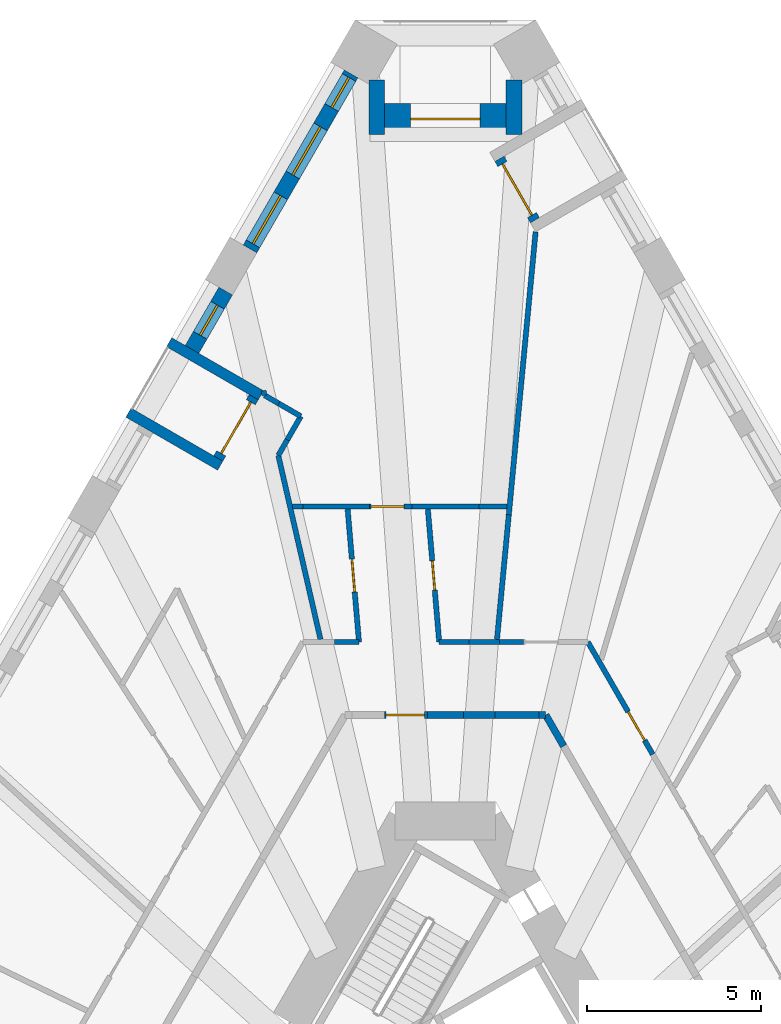
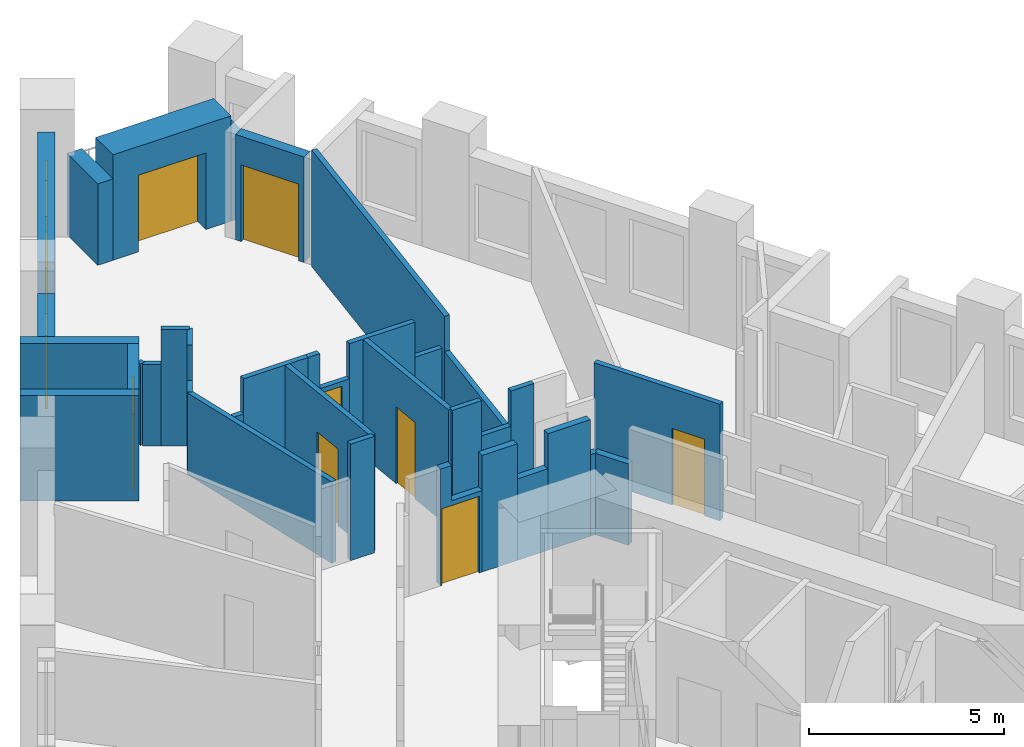
# One storey, part 9 of 14: 35 walls, 8 doors, 4 windows, 12 openings.
"""IFC4 building model written with IfcOpenShell, lengths in metres."""

from ifc_helpers import new_model, si_unit, direction, frame, frame_2d, origin, place, context, subcontext, project, spatial, polyline, rectangle, outline, extrude, material, layer, layer_set, type_object, element, fill, save


model = new_model("IFC4")

# Units and contexts
model_context = context("Model", 3, precision=1e-05, world=origin(), true_north=direction((0.0, 1.0)))
body_context = subcontext(model_context, "Body", "Model", "MODEL_VIEW")
ifc_project = project(units=[si_unit("LENGTHUNIT", "METRE"), si_unit("AREAUNIT", "SQUARE_METRE"), si_unit("VOLUMEUNIT", "CUBIC_METRE"), si_unit("PLANEANGLEUNIT", "RADIAN"), si_unit("MASSUNIT", "GRAM", prefix="KILO")], contexts=[model_context])

# Site, building, storey
site_placement = place(None, origin())
site = spatial("IfcSite", under=ifc_project, at=site_placement, CompositionType="ELEMENT")
building_placement = place(site_placement, origin())
building = spatial("IfcBuilding", under=site, at=building_placement, Name="Tramontana Tower", CompositionType="ELEMENT")
storey_placement = place(building_placement, frame((0.0, 0.0, 30.0)))
storey = spatial("IfcBuildingStorey", under=building, at=storey_placement, Name="L05", CompositionType="ELEMENT", Elevation=30.0)

# Wall
ifc_material_1 = material(Name="Blockwork", Category="masonry")
ifc_layer_1 = layer(ifc_material_1, 0.199951171875)
ifc_layer_set_1 = layer_set([ifc_layer_1], Name="ENTRY WALL 200")
wall_type_1 = type_object("IfcWallType", Name="ENTRY WALL 200", PredefinedType="SOLIDWALL", material=ifc_layer_set_1)
wall_1_placement = place(storey_placement, frame((2.88671875, 13.5, 0.0), z_axis=(0.0, 0.0, 1.0), x_axis=(0.499994660107, -0.866028486751, 0.0)))
element("IfcWall", 1, at=wall_1_placement, inside=storey, type_object=wall_type_1, Name="Wall v01-ew0-0", PredefinedType="SOLIDWALL", context=body_context, shape_type="SweptSolid", body=[
    extrude(rectangle(XDim=1.03515625, YDim=0.199951171875, at=frame_2d((0.517578125, 0.0))), origin(), (0.0, 0.0, 1.0), 2.550048828125),
])

# Wall, opening, door
wall_2_placement = place(storey_placement, frame((-0.520263671875, 13.5, 0.0), z_axis=(0.0, 0.0, 1.0), x_axis=(-1.0, 0.0, 0.0)))
wall_2 = element("IfcWall", 2, at=wall_2_placement, inside=storey, type_object=wall_type_1, Name="Wall v01-ew5-2", PredefinedType="SOLIDWALL", context=body_context, shape_type="SweptSolid", body=[
    extrude(outline(polyline([(0.0, 0.0), (1.23291015625, 0.0), (1.23291015625, 3.64990234375), (0.90234375, 3.64990234375), (0.90234375, 2.550048828125), (0.0, 2.550048828125), (0.0, 0.0)])), frame((0.0, 0.10009765625, 0.0), z_axis=(0.0, -1.0, 0.0), x_axis=(1.0, 0.0, 0.0)), (0.0, 0.0, 1.0), 0.199951171875),
])
opening_1_placement = place(wall_2_placement, frame((0.082763671875, 0.0, 0.0)))
opening_1 = element("IfcOpeningElement", 3, at=opening_1_placement, cuts=wall_2, Name="Opening B0B-34", PredefinedType="OPENING", context=body_context, shape_type="SweptSolid", body=[
    extrude(rectangle(XDim=1.10009765625, YDim=2.39990234375, at=frame_2d((0.550048828125, 1.199951171875))), frame((0.0, 0.10986328125, 0.0), z_axis=(0.0, -1.0, 0.0), x_axis=(1.0, 0.0, 0.0)), (0.0, 0.0, 1.0), 0.219970703125),
])
ifc_material_2 = material(Name="Painted timber", Category="wood")
door_type_1 = type_object("IfcDoorType", Name="DOOR ENTRY 1100", OperationType="SINGLE_SWING_LEFT", PredefinedType="DOOR", material=ifc_material_2)
door_1_placement = place(opening_1_placement, origin())
door_1 = element("IfcDoor", 4, at=door_1_placement, inside=storey, type_object=door_type_1, Name="Door B0B-34", OperationType="SINGLE_SWING_RIGHT", OverallHeight=2.39990234375, OverallWidth=1.10009765625, PredefinedType="DOOR", context=body_context, shape_type="SweptSolid", body=[
    extrude(rectangle(XDim=1.10009765625, YDim=2.39990234375, at=frame_2d((0.550048828125, 1.199951171875))), frame((0.0, 0.02490234375, 0.0), z_axis=(0.0, -1.0, 0.0), x_axis=(1.0, 0.0, 0.0)), (0.0, 0.0, 1.0), 0.050048828125),
])
fill(opening_1, door_1)

# Walls
wall_3_placement = place(storey_placement, frame((-0.520263671875, 13.5, 0.0), z_axis=(0.0, 0.0, 1.0), x_axis=(1.0, 0.0, 0.0)))
element("IfcWall", 5, at=wall_3_placement, inside=storey, type_object=wall_type_1, Name="Wall v01-ew5-3", PredefinedType="SOLIDWALL", context=body_context, shape_type="SweptSolid", body=[
    extrude(rectangle(XDim=1.04052734375, YDim=0.199951171875, at=frame_2d((0.520263671875, 0.0))), origin(), (0.0, 0.0, 1.0), 3.64990234375),
])
wall_4_placement = place(storey_placement, frame((0.520263671875, 13.5, 0.0), z_axis=(0.0, 0.0, 1.0), x_axis=(1.0, 0.0, 0.0)))
element("IfcWall", 6, at=wall_4_placement, inside=storey, type_object=wall_type_1, Name="Wall v01-ew5-4", PredefinedType="SOLIDWALL", context=body_context, shape_type="SweptSolid", body=[
    extrude(rectangle(XDim=0.90234375, YDim=0.199951171875, at=frame_2d((0.451171875, 0.0))), origin(), (0.0, 0.0, 1.0), 2.550048828125),
])
wall_5_placement = place(storey_placement, frame((1.422607421875, 13.5, 0.0), z_axis=(0.0, 0.0, 1.0), x_axis=(1.0, 0.0, 0.0)))
element("IfcWall", 7, at=wall_5_placement, inside=storey, type_object=wall_type_1, Name="Wall v01-ew5-5", PredefinedType="SOLIDWALL", context=body_context, shape_type="SweptSolid", body=[
    extrude(rectangle(XDim=1.266845703125, YDim=0.199951171875, at=frame_2d((0.63330078125, 0.0))), origin(), (0.0, 0.0, 1.0), 3.64990234375),
])
wall_6_placement = place(storey_placement, frame((2.689453125, 13.5, 0.0), z_axis=(0.0, 0.0, 1.0), x_axis=(1.0, 0.0, 0.0)))
element("IfcWall", 8, at=wall_6_placement, inside=storey, type_object=wall_type_1, Name="Wall v01-ew5-6", PredefinedType="SOLIDWALL", context=body_context, shape_type="SweptSolid", body=[
    extrude(rectangle(XDim=0.197265625, YDim=0.199951171875, at=frame_2d((0.0986328125, 0.0))), origin(), (0.0, 0.0, 1.0), 2.550048828125),
])

# Wall, openings, windows
ifc_material_3 = material(Name="Precast concrete 60 MPa", Category="concrete")
ifc_layer_2 = layer(ifc_material_3, 0.449951171875)
ifc_layer_set_2 = layer_set([ifc_layer_2], Name="Precast concrete 60 MPa, 450 mm")
wall_type_2 = type_object("IfcWallType", Name="EW1 Stone-faced precast wall 450", PredefinedType="SOLIDWALL", material=ifc_layer_set_2)
wall_7_placement = place(storey_placement, frame((-2.713623046875, 31.949951171875, 0.0), z_axis=(0.0, 0.0, 1.0), x_axis=(-0.500007002644, -0.866021360769, 0.0)))
wall_7 = element("IfcWall", 9, at=wall_7_placement, inside=storey, type_object=wall_type_2, Name="External wall L05 face 0 bay 1", PredefinedType="SOLIDWALL", context=body_context, shape_type="SweptSolid", body=[
    extrude(rectangle(XDim=5.81787109375, YDim=0.449951171875, at=frame_2d((2.908935546875, 0.0))), origin(), (0.0, 0.0, 1.0), 3.300048828125),
])
opening_2_placement = place(wall_7_placement, frame((0.11962890625, 0.0, 0.699951171875)))
opening_2 = element("IfcOpeningElement", 10, at=opening_2_placement, cuts=wall_7, Name="Opening N1L", PredefinedType="OPENING", context=body_context, shape_type="SweptSolid", body=[
    extrude(rectangle(XDim=1.0, YDim=1.800048828125, at=frame_2d((0.5, 0.89990234375))), frame((0.0, 0.23486328125, 0.0), z_axis=(0.0, -1.0, 0.0), x_axis=(1.0, 0.0, 0.0)), (0.0, 0.0, 1.0), 0.469970703125),
])
opening_3_placement = place(wall_7_placement, frame((1.759033203125, 0.0, 0.699951171875)))
opening_3 = element("IfcOpeningElement", 11, at=opening_3_placement, cuts=wall_7, Name="Opening M1", PredefinedType="OPENING", context=body_context, shape_type="SweptSolid", body=[
    extrude(rectangle(XDim=1.60009765625, YDim=2.300048828125, at=frame_2d((0.800048828125, 1.14990234375))), frame((0.0, 0.23486328125, 0.0), z_axis=(0.0, -1.0, 0.0), x_axis=(1.0, 0.0, 0.0)), (0.0, 0.0, 1.0), 0.469970703125),
])
opening_4_placement = place(wall_7_placement, frame((4.04833984375, 0.0, 0.699951171875)))
opening_4 = element("IfcOpeningElement", 12, at=opening_4_placement, cuts=wall_7, Name="Opening M1", PredefinedType="OPENING", context=body_context, shape_type="SweptSolid", body=[
    extrude(rectangle(XDim=1.60009765625, YDim=2.300048828125, at=frame_2d((0.800048828125, 1.14990234375))), frame((0.0, 0.23486328125, 0.0), z_axis=(0.0, -1.0, 0.0), x_axis=(1.0, 0.0, 0.0)), (0.0, 0.0, 1.0), 0.469970703125),
])
ifc_material_4 = material(Name="Aluminum frame, double glazing unit", Category="aluminium")
window_type_1 = type_object("IfcWindowType", Name="M1 Window 1.6 x 2.3", PartitioningType="SINGLE_PANEL", PredefinedType="WINDOW", material=ifc_material_4)
window_1_placement = place(opening_3_placement, origin())
window_1 = element("IfcWindow", 13, at=window_1_placement, inside=storey, type_object=window_type_1, Name="Window M1 L05 face 0 module 2", OverallHeight=2.300048828125, OverallWidth=1.60009765625, PartitioningType="SINGLE_PANEL", PredefinedType="WINDOW", context=body_context, shape_type="SweptSolid", body=[
    extrude(rectangle(XDim=1.60009765625, YDim=2.300048828125, at=frame_2d((0.800048828125, 1.14990234375))), frame((0.0, 0.030029296875, 0.0), z_axis=(0.0, -1.0, 0.0), x_axis=(1.0, 0.0, 0.0)), (0.0, 0.0, 1.0), 0.06005859375),
])
fill(opening_3, window_1)
window_2_placement = place(opening_4_placement, origin())
window_2 = element("IfcWindow", 14, at=window_2_placement, inside=storey, type_object=window_type_1, Name="Window M1 L05 face 0 module 3", OverallHeight=2.300048828125, OverallWidth=1.60009765625, PartitioningType="SINGLE_PANEL", PredefinedType="WINDOW", context=body_context, shape_type="SweptSolid", body=[
    extrude(rectangle(XDim=1.60009765625, YDim=2.300048828125, at=frame_2d((0.800048828125, 1.14990234375))), frame((0.0, 0.030029296875, 0.0), z_axis=(0.0, -1.0, 0.0), x_axis=(1.0, 0.0, 0.0)), (0.0, 0.0, 1.0), 0.06005859375),
])
fill(opening_4, window_2)
ifc_material_5 = material(Name="Aluminum frame, double glazing unit", Category="aluminium")
window_type_2 = type_object("IfcWindowType", Name="N1L Window 1 x 1.8", PartitioningType="SINGLE_PANEL", PredefinedType="WINDOW", material=ifc_material_5)
window_3_placement = place(opening_2_placement, origin())
window_3 = element("IfcWindow", 15, at=window_3_placement, inside=storey, type_object=window_type_2, Name="Window N1L L05 face 0 module 1", OverallHeight=1.800048828125, OverallWidth=1.0, PartitioningType="SINGLE_PANEL", PredefinedType="WINDOW", context=body_context, shape_type="SweptSolid", body=[
    extrude(rectangle(XDim=1.0, YDim=1.800048828125, at=frame_2d((0.5, 0.89990234375))), frame((0.0, 0.030029296875, 0.0), z_axis=(0.0, -1.0, 0.0), x_axis=(1.0, 0.0, 0.0)), (0.0, 0.0, 1.0), 0.06005859375),
])
fill(opening_2, window_3)

# Wall, opening, window
wall_8_placement = place(storey_placement, frame((-6.322509765625, 25.69921875, 0.0), z_axis=(0.0, 0.0, 1.0), x_axis=(-0.49998396455, -0.866034661658, 0.0)))
wall_8 = element("IfcWall", 16, at=wall_8_placement, inside=storey, type_object=wall_type_2, Name="External wall L05 face 0 bay 2", PredefinedType="SOLIDWALL", context=body_context, shape_type="SweptSolid", body=[
    extrude(rectangle(XDim=1.939453125, YDim=0.449951171875, at=frame_2d((0.9697265625, 0.0))), origin(), (0.0, 0.0, 1.0), 3.300048828125),
])
opening_5_placement = place(wall_8_placement, frame((0.4697265625, 0.0, 0.699951171875)))
opening_5 = element("IfcOpeningElement", 17, at=opening_5_placement, cuts=wall_8, Name="Opening N1", PredefinedType="OPENING", context=body_context, shape_type="SweptSolid", body=[
    extrude(rectangle(XDim=1.0, YDim=2.300048828125, at=frame_2d((0.5, 1.14990234375))), frame((0.0, 0.23486328125, 0.0), z_axis=(0.0, -1.0, 0.0), x_axis=(1.0, 0.0, 0.0)), (0.0, 0.0, 1.0), 0.469970703125),
])
ifc_material_6 = material(Name="Aluminum frame, double glazing unit", Category="aluminium")
window_type_3 = type_object("IfcWindowType", Name="N1 Window 1 x 2.3", PartitioningType="SINGLE_PANEL", PredefinedType="WINDOW", material=ifc_material_6)
window_4_placement = place(opening_5_placement, origin())
window_4 = element("IfcWindow", 18, at=window_4_placement, inside=storey, type_object=window_type_3, Name="Window N1 L05 face 0 module 4", OverallHeight=2.300048828125, OverallWidth=1.0, PartitioningType="SINGLE_PANEL", PredefinedType="WINDOW", context=body_context, shape_type="SweptSolid", body=[
    extrude(rectangle(XDim=1.0, YDim=2.300048828125, at=frame_2d((0.5, 1.14990234375))), frame((0.0, 0.030029296875, 0.0), z_axis=(0.0, -1.0, 0.0), x_axis=(1.0, 0.0, 0.0)), (0.0, 0.0, 1.0), 0.06005859375),
])
fill(opening_5, window_4)

# Walls
for number, where, z_axis, x_axis, name in (
    (19, (-1.97509765625, 31.779296875, 0.0), (0.0, 0.0, 1.0), (0.0, -1.0, 0.0), "Corner loggia side wall L05 K00l"),
    (20, (1.97509765625, 31.779296875, 0.0), (0.0, 0.0, 1.0), (0.0, -1.0, 0.0), "Corner loggia side wall L05 K00r"),
):
    element("IfcWall", number, at=place(storey_placement, frame(where, z_axis=z_axis, x_axis=x_axis)), inside=storey, type_object=wall_type_2, Name=name, PredefinedType="SOLIDWALL", context=body_context, shape_type="SweptSolid", body=[
        extrude(rectangle(XDim=1.579345703125, YDim=0.449951171875, at=frame_2d((0.78955078125, 0.0))), origin(), (0.0, 0.0, 1.0), 2.550048828125),
    ])

# Wall, opening, door
ifc_material_7 = material(Name="Precast concrete 60 MPa", Category="concrete")
ifc_layer_3 = layer(ifc_material_7, 0.89990234375)
ifc_layer_set_3 = layer_set([ifc_layer_3], Name="EW2 Stone-faced corner loggia wall 900")
wall_type_3 = type_object("IfcWallType", Name="EW2 Stone-faced corner loggia wall 900", PredefinedType="SOLIDWALL", material=ifc_layer_set_3)
wall_9_placement = place(storey_placement, frame((-1.75, 30.64990234375, 0.0), z_axis=(0.0, 0.0, 1.0), x_axis=(1.0, 0.0, 0.0)))
wall_9 = element("IfcWall", 21, at=wall_9_placement, inside=storey, type_object=wall_type_3, Name="Corner loggia wall L05 K00", PredefinedType="SOLIDWALL", context=body_context, shape_type="SweptSolid", body=[
    extrude(rectangle(XDim=3.5, YDim=0.89990234375, at=frame_2d((1.75, 0.0))), origin(), (0.0, 0.0, 1.0), 3.300048828125),
])
opening_6_placement = place(wall_9_placement, frame((0.75, 0.0, 0.0)))
opening_6 = element("IfcOpeningElement", 22, at=opening_6_placement, cuts=wall_9, Name="Opening BD-00C", PredefinedType="OPENING", context=body_context, shape_type="SweptSolid", body=[
    extrude(rectangle(XDim=2.0, YDim=2.39990234375, at=frame_2d((1.0, 1.199951171875))), frame((0.0, 0.4599609375, 0.0), z_axis=(0.0, -1.0, 0.0), x_axis=(1.0, 0.0, 0.0)), (0.0, 0.0, 1.0), 0.919921875),
])
ifc_material_8 = material(Name="Aluminum frame, double glazing unit", Category="aluminium")
door_type_2 = type_object("IfcDoorType", Name="BC1 Sliding door 2 x 2.4", OperationType="SLIDING_TO_LEFT", PredefinedType="DOOR", material=ifc_material_8)
door_2_placement = place(opening_6_placement, origin())
door_2 = element("IfcDoor", 23, at=door_2_placement, inside=storey, type_object=door_type_2, Name="Corner loggia door L05 K00", OperationType="SLIDING_TO_LEFT", OverallHeight=2.39990234375, OverallWidth=2.0, PredefinedType="DOOR", context=body_context, shape_type="SweptSolid", body=[
    extrude(rectangle(XDim=2.0, YDim=2.39990234375, at=frame_2d((1.0, 1.199951171875))), frame((0.0, 0.02490234375, 0.0), z_axis=(0.0, -1.0, 0.0), x_axis=(1.0, 0.0, 0.0)), (0.0, 0.0, 1.0), 0.050048828125),
])
fill(opening_6, door_2)

ifc_material_9 = material(Name="Precast concrete 60 MPa", Category="concrete")
ifc_layer_4 = layer(ifc_material_9, 0.300048828125)
ifc_layer_set_4 = layer_set([ifc_layer_4], Name="LW1 Stone-faced loggia wall 300")
wall_type_4 = type_object("IfcWallType", Name="LW1 Stone-faced loggia wall 300", PredefinedType="SOLIDWALL", material=ifc_layer_set_4)
wall_10_placement = place(storey_placement, frame((-5.51513671875, 22.647216796875, 0.0), z_axis=(0.0, 0.0, 1.0), x_axis=(-0.500092081068, -0.865972234227, 0.0)))
wall_10 = element("IfcWall", 24, at=wall_10_placement, inside=storey, type_object=wall_type_4, Name="Loggia wall L05 G0S0.4", PredefinedType="SOLIDWALL", context=body_context, shape_type="SweptSolid", body=[
    extrude(rectangle(XDim=2.0390625, YDim=0.300048828125, at=frame_2d((1.01953125, 0.0))), origin(), (0.0, 0.0, 1.0), 3.300048828125),
])
opening_7_placement = place(wall_10_placement, frame((0.169677734375, 0.0, 0.0)))
opening_7 = element("IfcOpeningElement", 25, at=opening_7_placement, cuts=wall_10, Name="Opening BD-0S0-04", PredefinedType="OPENING", context=body_context, shape_type="SweptSolid", body=[
    extrude(rectangle(XDim=1.699951171875, YDim=2.39990234375, at=frame_2d((0.85009765625, 1.199951171875))), frame((0.0, 0.159912109375, 0.0), z_axis=(0.0, -1.0, 0.0), x_axis=(1.0, 0.0, 0.0)), (0.0, 0.0, 1.0), 0.320068359375),
])
ifc_material_10 = material(Name="Aluminum frame, double glazing unit", Category="aluminium")
door_type_3 = type_object("IfcDoorType", Name="BD1 Sliding door 1.7 x 2.4", OperationType="SLIDING_TO_LEFT", PredefinedType="DOOR", material=ifc_material_10)
door_3_placement = place(opening_7_placement, origin())
door_3 = element("IfcDoor", 26, at=door_3_placement, inside=storey, type_object=door_type_3, Name="Loggia door L05 G0S0.4", OperationType="SLIDING_TO_LEFT", OverallHeight=2.39990234375, OverallWidth=1.699951171875, PredefinedType="DOOR", context=body_context, shape_type="SweptSolid", body=[
    extrude(rectangle(XDim=1.699951171875, YDim=2.39990234375, at=frame_2d((0.85009765625, 1.199951171875))), frame((0.0, 0.02490234375, 0.0), z_axis=(0.0, -1.0, 0.0), x_axis=(1.0, 0.0, 0.0)), (0.0, 0.0, 1.0), 0.050048828125),
])
fill(opening_7, door_3)

# Walls
for number, where, z_axis, x_axis, name in (
    (27, (-7.95166015625, 24.227294921875, 0.0), (0.0, 0.0, 1.0), (0.8660029625, -0.500038867431, 0.0), "Loggia return L05 G0S0.4a"),
    (28, (-9.121337890625, 22.201416015625, 0.0), (0.0, 0.0, 1.0), (0.8660029625, -0.500038867431, 0.0), "Loggia return L05 G0S0.4b"),
):
    element("IfcWall", number, at=place(storey_placement, frame(where, z_axis=z_axis, x_axis=x_axis)), inside=storey, type_object=wall_type_4, Name=name, PredefinedType="SOLIDWALL", context=body_context, shape_type="SweptSolid", body=[
        extrude(rectangle(XDim=3.050048828125, YDim=0.300048828125, at=frame_2d((1.52490234375, 0.0))), origin(), (0.0, 0.0, 1.0), 3.300048828125),
    ])

# Wall, opening, door
wall_11_placement = place(storey_placement, frame((2.575927734375, 27.73828125, 0.0), z_axis=(0.0, 0.0, 1.0), x_axis=(-0.500040236659, 0.866002171892, 0.0)))
wall_11 = element("IfcWall", 29, at=wall_11_placement, inside=storey, type_object=wall_type_4, Name="Loggia wall L05 G0S2.19", PredefinedType="SOLIDWALL", context=body_context, shape_type="SweptSolid", body=[
    extrude(rectangle(XDim=2.039306640625, YDim=0.300048828125, at=frame_2d((1.01953125, 0.0))), origin(), (0.0, 0.0, 1.0), 3.300048828125),
])
opening_8_placement = place(wall_11_placement, frame((0.169677734375, 0.0, 0.0)))
opening_8 = element("IfcOpeningElement", 30, at=opening_8_placement, cuts=wall_11, Name="Opening BD-0S2-19", PredefinedType="OPENING", context=body_context, shape_type="SweptSolid", body=[
    extrude(rectangle(XDim=1.699951171875, YDim=2.39990234375, at=frame_2d((0.85009765625, 1.199951171875))), frame((0.0, 0.159912109375, 0.0), z_axis=(0.0, -1.0, 0.0), x_axis=(1.0, 0.0, 0.0)), (0.0, 0.0, 1.0), 0.320068359375),
])
door_4_placement = place(opening_8_placement, origin())
door_4 = element("IfcDoor", 31, at=door_4_placement, inside=storey, type_object=door_type_3, Name="Loggia door L05 G0S2.19", OperationType="SLIDING_TO_LEFT", OverallHeight=2.39990234375, OverallWidth=1.699951171875, PredefinedType="DOOR", context=body_context, shape_type="SweptSolid", body=[
    extrude(rectangle(XDim=1.699951171875, YDim=2.39990234375, at=frame_2d((0.85009765625, 1.199951171875))), frame((0.0, 0.02490234375, 0.0), z_axis=(0.0, -1.0, 0.0), x_axis=(1.0, 0.0, 0.0)), (0.0, 0.0, 1.0), 0.050048828125),
])
fill(opening_8, door_4)

# Walls
ifc_material_11 = material(Name="Gypsum board partition")
ifc_layer_5 = layer(ifc_material_11, 0.14990234375)
ifc_layer_set_5 = layer_set([ifc_layer_5], Name="PARTITION 150")
wall_type_5 = type_object("IfcWallType", Name="PARTITION 150", PredefinedType="PARTITIONING", material=ifc_layer_set_5)
wall_12_placement = place(storey_placement, frame((-5.204833984375, 22.699462890625, 0.0), z_axis=(0.0, 0.0, 1.0), x_axis=(-0.224199209128, 0.974543336454, 0.0)))
element("IfcWall", 32, at=wall_12_placement, inside=storey, type_object=wall_type_5, Name="Wall v01-pw23-0", PredefinedType="PARTITIONING", context=body_context, shape_type="SweptSolid", body=[
    extrude(rectangle(XDim=0.135009765625, YDim=0.14990234375, at=frame_2d((0.0673828125, 0.0))), origin(), (0.0, 0.0, 1.0), 2.550048828125),
])
wall_13_placement = place(storey_placement, frame((-4.80859375, 20.970947265625, 0.0), z_axis=(0.0, 0.0, 1.0), x_axis=(0.500009360108, 0.866019999656, 0.0)))
element("IfcWall", 33, at=wall_13_placement, inside=storey, type_object=wall_type_5, Name="Wall v01-pw24-0", PredefinedType="PARTITIONING", context=body_context, shape_type="SweptSolid", body=[
    extrude(rectangle(XDim=0.515625, YDim=0.14990234375, at=frame_2d((0.2578125, 0.0))), origin(), (0.0, 0.0, 1.0), 2.550048828125),
])
wall_14_placement = place(storey_placement, frame((-4.55078125, 21.41748046875, 0.0), z_axis=(0.0, 0.0, 1.0), x_axis=(0.50003806587, 0.866003425329, 0.0)))
element("IfcWall", 34, at=wall_14_placement, inside=storey, type_object=wall_type_5, Name="Wall v01-pw24-1", PredefinedType="PARTITIONING", context=body_context, shape_type="SweptSolid", body=[
    extrude(rectangle(XDim=0.78125, YDim=0.14990234375, at=frame_2d((0.390625, 0.0))), origin(), (0.0, 0.0, 1.0), 3.64990234375),
])
wall_15_placement = place(storey_placement, frame((-4.394287109375, 19.5, 0.0), z_axis=(0.0, 0.0, 1.0), x_axis=(1.0, 0.0, 0.0)))
element("IfcWall", 35, at=wall_15_placement, inside=storey, type_object=wall_type_5, Name="Wall v01-pw25-0", PredefinedType="PARTITIONING", context=body_context, shape_type="SweptSolid", body=[
    extrude(rectangle(XDim=0.291259765625, YDim=0.14990234375, at=frame_2d((0.1455078125, 0.0))), origin(), (0.0, 0.0, 1.0), 2.550048828125),
])
wall_16_placement = place(storey_placement, frame((-4.10302734375, 19.5, 0.0), z_axis=(0.0, 0.0, 1.0), x_axis=(1.0, 0.0, 0.0)))
element("IfcWall", 36, at=wall_16_placement, inside=storey, type_object=wall_type_5, Name="Wall v01-pw25-1", PredefinedType="PARTITIONING", context=body_context, shape_type="SweptSolid", body=[
    extrude(rectangle(XDim=1.912353515625, YDim=0.14990234375, at=frame_2d((0.9560546875, 0.0))), origin(), (0.0, 0.0, 1.0), 3.64990234375),
])

# Wall, opening, door
wall_17_placement = place(storey_placement, frame((-2.190673828125, 19.5, 0.0), z_axis=(0.0, 0.0, 1.0), x_axis=(1.0, 0.0, 0.0)))
wall_17 = element("IfcWall", 37, at=wall_17_placement, inside=storey, type_object=wall_type_5, Name="Wall v01-pw25-2", PredefinedType="PARTITIONING", context=body_context, shape_type="SweptSolid", body=[
    extrude(outline(polyline([(0.0, 0.0), (1.22607421875, 0.0), (1.22607421875, 2.550048828125), (0.3486328125, 2.550048828125), (0.3486328125, 3.64990234375), (0.0, 3.64990234375), (0.0, 0.0)])), frame((0.0, 0.074951171875, 0.0), z_axis=(0.0, -1.0, 0.0), x_axis=(1.0, 0.0, 0.0)), (0.0, 0.0, 1.0), 0.14990234375),
])
opening_9_placement = place(wall_17_placement, frame((0.050048828125, 0.0, 0.0)))
opening_9 = element("IfcOpeningElement", 38, at=opening_9_placement, cuts=wall_17, Name="Opening B0B-03", PredefinedType="OPENING", context=body_context, shape_type="SweptSolid", body=[
    extrude(rectangle(XDim=0.949951171875, YDim=2.39990234375, at=frame_2d((0.47509765625, 1.199951171875))), frame((0.0, 0.0849609375, 0.0), z_axis=(0.0, -1.0, 0.0), x_axis=(1.0, 0.0, 0.0)), (0.0, 0.0, 1.0), 0.169921875),
])
ifc_material_12 = material(Name="Painted timber", Category="wood")
door_type_4 = type_object("IfcDoorType", Name="DOOR ROOM 950", OperationType="SINGLE_SWING_LEFT", PredefinedType="DOOR", material=ifc_material_12)
door_5_placement = place(opening_9_placement, origin())
door_5 = element("IfcDoor", 39, at=door_5_placement, inside=storey, type_object=door_type_4, Name="Door B0B-03", OperationType="SINGLE_SWING_LEFT", OverallHeight=2.39990234375, OverallWidth=0.949951171875, PredefinedType="DOOR", context=body_context, shape_type="SweptSolid", body=[
    extrude(rectangle(XDim=0.949951171875, YDim=2.39990234375, at=frame_2d((0.47509765625, 1.199951171875))), frame((0.0, 0.02490234375, 0.0), z_axis=(0.0, -1.0, 0.0), x_axis=(1.0, 0.0, 0.0)), (0.0, 0.0, 1.0), 0.050048828125),
])
fill(opening_9, door_5)

# Walls
wall_18_placement = place(storey_placement, frame((-0.964599609375, 19.5, 0.0), z_axis=(0.0, 0.0, 1.0), x_axis=(1.0, 0.0, 0.0)))
element("IfcWall", 40, at=wall_18_placement, inside=storey, type_object=wall_type_5, Name="Wall v01-pw25-3", PredefinedType="PARTITIONING", context=body_context, shape_type="SweptSolid", body=[
    extrude(rectangle(XDim=1.92919921875, YDim=0.14990234375, at=frame_2d((0.964599609375, 0.0))), origin(), (0.0, 0.0, 1.0), 3.64990234375),
])
wall_19_placement = place(storey_placement, frame((0.964599609375, 19.5, 0.0), z_axis=(0.0, 0.0, 1.0), x_axis=(1.0, 0.0, 0.0)))
element("IfcWall", 41, at=wall_19_placement, inside=storey, type_object=wall_type_5, Name="Wall v01-pw25-4", PredefinedType="PARTITIONING", context=body_context, shape_type="SweptSolid", body=[
    extrude(rectangle(XDim=0.807373046875, YDim=0.14990234375, at=frame_2d((0.40380859375, 0.0))), origin(), (0.0, 0.0, 1.0), 2.550048828125),
])
wall_20_placement = place(storey_placement, frame((-4.160888671875, 22.0966796875, 0.0), z_axis=(0.0, 0.0, 1.0), x_axis=(-0.866141146063, 0.499799474886, 0.0)))
element("IfcWall", 42, at=wall_20_placement, inside=storey, type_object=wall_type_5, Name="Wall v01-pw26-0", PredefinedType="PARTITIONING", context=body_context, shape_type="SweptSolid", body=[
    extrude(rectangle(XDim=0.731689453125, YDim=0.14990234375, at=frame_2d((0.36572265625, 0.0))), origin(), (0.0, 0.0, 1.0), 3.64990234375),
])
wall_21_placement = place(storey_placement, frame((-4.794677734375, 22.46240234375, 0.0), z_axis=(0.0, 0.0, 1.0), x_axis=(-0.866013897511, 0.50001992892, 0.0)))
element("IfcWall", 43, at=wall_21_placement, inside=storey, type_object=wall_type_5, Name="Wall v01-pw26-1", PredefinedType="PARTITIONING", context=body_context, shape_type="SweptSolid", body=[
    extrude(rectangle(XDim=0.4736328125, YDim=0.14990234375, at=frame_2d((0.23681640625, 0.0))), origin(), (0.0, 0.0, 1.0), 2.550048828125),
])
wall_22_placement = place(storey_placement, frame((-3.192626953125, 15.60009765625, 0.0), z_axis=(0.0, 0.0, 1.0), x_axis=(1.0, 0.0, 0.0)))
element("IfcWall", 44, at=wall_22_placement, inside=storey, type_object=wall_type_5, Name="Wall v01-pw27-1", PredefinedType="PARTITIONING", context=body_context, shape_type="SweptSolid", body=[
    extrude(rectangle(XDim=0.705810546875, YDim=0.14990234375, at=frame_2d((0.35302734375, 0.0))), origin(), (0.0, 0.0, 1.0), 3.64990234375),
])
wall_23_placement = place(storey_placement, frame((-3.59423828125, 15.675048828125, 0.0), z_axis=(0.0, 0.0, 1.0), x_axis=(-0.223500672061, 0.974703775302, 0.0)))
element("IfcWall", 45, at=wall_23_placement, inside=storey, type_object=wall_type_5, Name="Wall v01-pw28-0", PredefinedType="PARTITIONING", context=body_context, shape_type="SweptSolid", body=[
    extrude(rectangle(XDim=5.433349609375, YDim=0.14990234375, at=frame_2d((2.716796875, 0.0))), origin(), (0.0, 0.0, 1.0), 2.550048828125),
])

# Wall, opening, door
wall_24_placement = place(storey_placement, frame((-2.48681640625, 15.60009765625, 0.0), z_axis=(0.0, 0.0, 1.0), x_axis=(-0.085092687009, 0.996373039889, 0.0)))
wall_24 = element("IfcWall", 46, at=wall_24_placement, inside=storey, type_object=wall_type_5, Name="Wall v01-pw29", PredefinedType="PARTITIONING", context=body_context, shape_type="SweptSolid", body=[
    extrude(rectangle(XDim=3.8388671875, YDim=0.14990234375, at=frame_2d((1.91943359375, 0.0))), origin(), (0.0, 0.0, 1.0), 3.64990234375),
])
opening_10_placement = place(wall_24_placement, frame((1.444580078125, 0.0, 0.0)))
opening_10 = element("IfcOpeningElement", 47, at=opening_10_placement, cuts=wall_24, Name="Opening B0B-01", PredefinedType="OPENING", context=body_context, shape_type="SweptSolid", body=[
    extrude(rectangle(XDim=0.949951171875, YDim=2.39990234375, at=frame_2d((0.47509765625, 1.199951171875))), frame((0.0, 0.0849609375, 0.0), z_axis=(0.0, -1.0, 0.0), x_axis=(1.0, 0.0, 0.0)), (0.0, 0.0, 1.0), 0.169921875),
])
door_6_placement = place(opening_10_placement, origin())
door_6 = element("IfcDoor", 48, at=door_6_placement, inside=storey, type_object=door_type_4, Name="Door B0B-01", OperationType="SINGLE_SWING_LEFT", OverallHeight=2.39990234375, OverallWidth=0.949951171875, PredefinedType="DOOR", context=body_context, shape_type="SweptSolid", body=[
    extrude(rectangle(XDim=0.949951171875, YDim=2.39990234375, at=frame_2d((0.47509765625, 1.199951171875))), frame((0.0, 0.02490234375, 0.0), z_axis=(0.0, -1.0, 0.0), x_axis=(1.0, 0.0, 0.0)), (0.0, 0.0, 1.0), 0.050048828125),
])
fill(opening_10, door_6)

wall_25_placement = place(storey_placement, frame((-0.505126953125, 19.425048828125, 0.0), z_axis=(0.0, 0.0, 1.0), x_axis=(0.085092687009, -0.996373039889, 0.0)))
wall_25 = element("IfcWall", 49, at=wall_25_placement, inside=storey, type_object=wall_type_5, Name="Wall v01-pw31", PredefinedType="PARTITIONING", context=body_context, shape_type="SweptSolid", body=[
    extrude(rectangle(XDim=3.8388671875, YDim=0.14990234375, at=frame_2d((1.91943359375, 0.0))), origin(), (0.0, 0.0, 1.0), 3.64990234375),
])
opening_11_placement = place(wall_25_placement, frame((1.494384765625, 0.0, 0.0)))
opening_11 = element("IfcOpeningElement", 50, at=opening_11_placement, cuts=wall_25, Name="Opening B0B-02", PredefinedType="OPENING", context=body_context, shape_type="SweptSolid", body=[
    extrude(rectangle(XDim=0.85009765625, YDim=2.39990234375, at=frame_2d((0.425048828125, 1.199951171875))), frame((0.0, 0.0849609375, 0.0), z_axis=(0.0, -1.0, 0.0), x_axis=(1.0, 0.0, 0.0)), (0.0, 0.0, 1.0), 0.169921875),
])
ifc_material_13 = material(Name="Painted timber", Category="wood")
door_type_5 = type_object("IfcDoorType", Name="DOOR BATH 850", OperationType="SINGLE_SWING_LEFT", PredefinedType="DOOR", material=ifc_material_13)
door_7_placement = place(opening_11_placement, origin())
door_7 = element("IfcDoor", 51, at=door_7_placement, inside=storey, type_object=door_type_5, Name="Door B0B-02", OperationType="SINGLE_SWING_RIGHT", OverallHeight=2.39990234375, OverallWidth=0.85009765625, PredefinedType="DOOR", context=body_context, shape_type="SweptSolid", body=[
    extrude(rectangle(XDim=0.85009765625, YDim=2.39990234375, at=frame_2d((0.425048828125, 1.199951171875))), frame((0.0, 0.02490234375, 0.0), z_axis=(0.0, -1.0, 0.0), x_axis=(1.0, 0.0, 0.0)), (0.0, 0.0, 1.0), 0.050048828125),
])
fill(opening_11, door_7)

# Walls
wall_26_placement = place(storey_placement, frame((-0.178466796875, 15.60009765625, 0.0), z_axis=(0.0, 0.0, 1.0), x_axis=(1.0, 0.0, 0.0)))
element("IfcWall", 52, at=wall_26_placement, inside=storey, type_object=wall_type_5, Name="Wall v01-pw32-0", PredefinedType="PARTITIONING", context=body_context, shape_type="SweptSolid", body=[
    extrude(rectangle(XDim=0.8623046875, YDim=0.14990234375, at=frame_2d((0.43115234375, 0.0))), origin(), (0.0, 0.0, 1.0), 3.64990234375),
])
wall_27_placement = place(storey_placement, frame((0.683837890625, 15.60009765625, 0.0), z_axis=(0.0, 0.0, 1.0), x_axis=(1.0, 0.0, 0.0)))
element("IfcWall", 53, at=wall_27_placement, inside=storey, type_object=wall_type_5, Name="Wall v01-pw32-1", PredefinedType="PARTITIONING", context=body_context, shape_type="SweptSolid", body=[
    extrude(rectangle(XDim=0.87744140625, YDim=0.14990234375, at=frame_2d((0.438720703125, 0.0))), origin(), (0.0, 0.0, 1.0), 2.550048828125),
])
wall_28_placement = place(storey_placement, frame((1.561279296875, 15.60009765625, 0.0), z_axis=(0.0, 0.0, 1.0), x_axis=(1.0, 0.0, 0.0)))
element("IfcWall", 54, at=wall_28_placement, inside=storey, type_object=wall_type_5, Name="Wall v01-pw32-2", PredefinedType="PARTITIONING", context=body_context, shape_type="SweptSolid", body=[
    extrude(rectangle(XDim=0.6806640625, YDim=0.14990234375, at=frame_2d((0.34033203125, 0.0))), origin(), (0.0, 0.0, 1.0), 3.64990234375),
])
wall_29_placement = place(storey_placement, frame((2.595947265625, 27.403564453125, 0.0), z_axis=(0.0, 0.0, 1.0), x_axis=(-0.09430053336, -0.995543775737, 0.0)))
element("IfcWall", 55, at=wall_29_placement, inside=storey, type_object=wall_type_5, Name="Wall v01-pw33-0", PredefinedType="PARTITIONING", context=body_context, shape_type="SweptSolid", body=[
    extrude(rectangle(XDim=8.178466796875, YDim=0.14990234375, at=frame_2d((4.08935546875, 0.0))), origin(), (0.0, 0.0, 1.0), 3.64990234375),
])
wall_30_placement = place(storey_placement, frame((1.82470703125, 19.261474609375, 0.0), z_axis=(0.0, 0.0, 1.0), x_axis=(-0.094335758366, -0.995540438502, 0.0)))
element("IfcWall", 56, at=wall_30_placement, inside=storey, type_object=wall_type_5, Name="Wall v01-pw33-1", PredefinedType="PARTITIONING", context=body_context, shape_type="SweptSolid", body=[
    extrude(rectangle(XDim=3.6025390625, YDim=0.14990234375, at=frame_2d((1.80126953125, 0.0))), origin(), (0.0, 0.0, 1.0), 2.550048828125),
])

# Wall, opening, door
wall_31_placement = place(storey_placement, frame((4.09912109375, 15.60009765625, 0.0), z_axis=(0.0, 0.0, 1.0), x_axis=(0.500007375767, -0.866021145342, 0.0)))
wall_31 = element("IfcWall", 57, at=wall_31_placement, inside=storey, type_object=wall_type_5, Name="Wall v01-pw35-0", PredefinedType="PARTITIONING", context=body_context, shape_type="SweptSolid", body=[
    extrude(rectangle(XDim=3.7333984375, YDim=0.14990234375, at=frame_2d((1.86669921875, 0.0))), origin(), (0.0, 0.0, 1.0), 3.64990234375),
])
opening_12_placement = place(wall_31_placement, frame((2.3193359375, 0.0, 0.0)))
opening_12 = element("IfcOpeningElement", 58, at=opening_12_placement, cuts=wall_31, Name="Opening B0B-05", PredefinedType="OPENING", context=body_context, shape_type="SweptSolid", body=[
    extrude(rectangle(XDim=0.949951171875, YDim=2.39990234375, at=frame_2d((0.47509765625, 1.199951171875))), frame((0.0, 0.0849609375, 0.0), z_axis=(0.0, -1.0, 0.0), x_axis=(1.0, 0.0, 0.0)), (0.0, 0.0, 1.0), 0.169921875),
])
door_8_placement = place(opening_12_placement, origin())
door_8 = element("IfcDoor", 59, at=door_8_placement, inside=storey, type_object=door_type_4, Name="Door B0B-05", OperationType="SINGLE_SWING_LEFT", OverallHeight=2.39990234375, OverallWidth=0.949951171875, PredefinedType="DOOR", context=body_context, shape_type="SweptSolid", body=[
    extrude(rectangle(XDim=0.949951171875, YDim=2.39990234375, at=frame_2d((0.47509765625, 1.199951171875))), frame((0.0, 0.02490234375, 0.0), z_axis=(0.0, -1.0, 0.0), x_axis=(1.0, 0.0, 0.0)), (0.0, 0.0, 1.0), 0.050048828125),
])
fill(opening_12, door_8)

save(model, "model.ifc")
